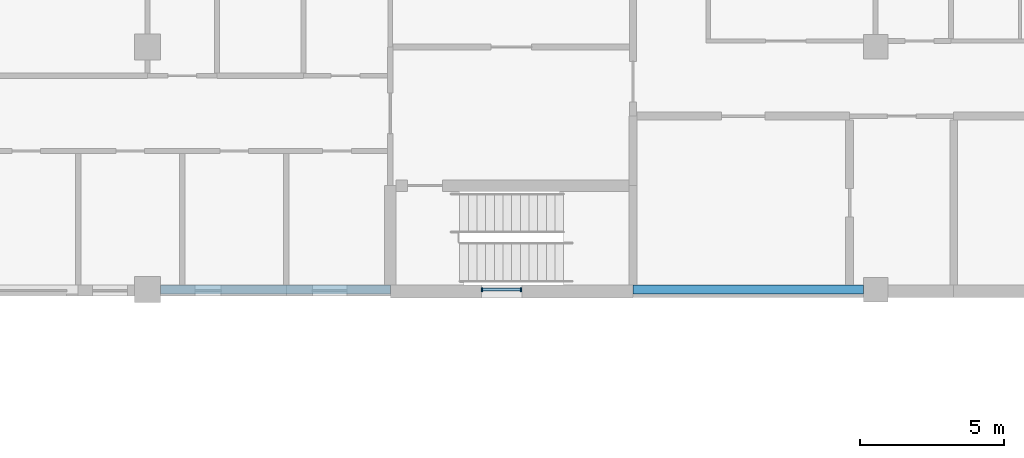
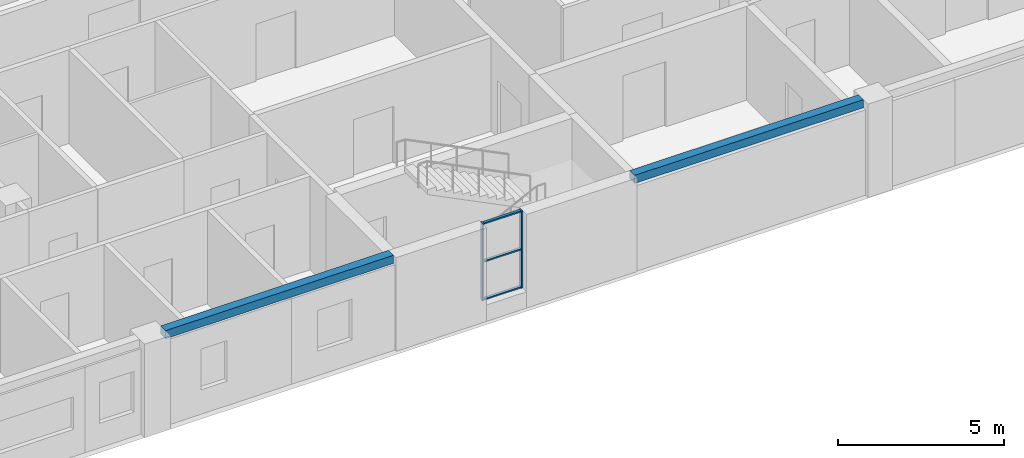
# One storey, part 35 of 94: 5 members, 2 beams, 1 element without a shape of its own.
"""IFC4 building model written with IfcOpenShell, lengths in metres."""

from ifc_helpers import new_model, si_unit, direction, frame, origin, origin_2d, place, context, subcontext, project, spatial, rectangle, extrude, material, material_profile, profile_set, type_object, element, aggregate, save


model = new_model("IFC4")

# Units and contexts
model_context = context("Model", 3, precision=1e-05, world=origin(), true_north=direction((0.0, 1.0)))
body_context = subcontext(model_context, "Body", "Model", "MODEL_VIEW")
ifc_project = project(units=[si_unit("LENGTHUNIT", "METRE"), si_unit("AREAUNIT", "SQUARE_METRE"), si_unit("VOLUMEUNIT", "CUBIC_METRE"), si_unit("PLANEANGLEUNIT", "RADIAN"), si_unit("MASSUNIT", "GRAM", prefix="KILO")], contexts=[model_context])

# Site, building, storey
site_placement = place(None, origin())
site = spatial("IfcSite", under=ifc_project, at=site_placement, CompositionType="ELEMENT")
building_placement = place(site_placement, origin())
building = spatial("IfcBuilding", under=site, at=building_placement, Name="Yavir Park General Hospital", CompositionType="ELEMENT")
storey_placement = place(building_placement, frame((0.0, 0.0, 4.5)))
storey = spatial("IfcBuildingStorey", under=building, at=storey_placement, Name="L01", CompositionType="ELEMENT", Elevation=4.5)

# Beams
ifc_material_1 = material(Name="Concrete C35/45", Category="concrete")
ifc_material_profile_1 = material_profile(ifc_material_1, rectangle(XDim=0.300048828125, YDim=0.300048828125, at=origin_2d()), Name="RC300x300")
ifc_profile_set_1 = profile_set([ifc_material_profile_1], Name="Concrete C35/45")
beam_type = type_object("IfcBeamType", Name="RC BEAM 300x300 edge beam", PredefinedType="BEAM", material=ifc_profile_set_1)
beam_1_placement = place(storey_placement, frame((126.449951171875, 0.0, 3.300048828125), z_axis=(1.0, 0.0, 0.0), x_axis=(0.0, 1.0, 0.0)))
element("IfcBeam", 1, at=beam_1_placement, inside=storey, type_object=beam_type, Name="B:EDGE:L01:013", PredefinedType="BEAM", context=body_context, shape_type="SweptSolid", body=[
    extrude(rectangle(XDim=0.300048828125, YDim=0.300048828125, at=origin_2d()), origin(), (0.0, 0.0, 1.0), 7.949951171875),
])
beam_2_placement = place(storey_placement, frame((142.800048828125, 0.0, 3.300048828125), z_axis=(1.0, 0.0, 0.0), x_axis=(0.0, 1.0, 0.0)))
element("IfcBeam", 2, at=beam_2_placement, inside=storey, type_object=beam_type, Name="B:EDGE:L01:014", PredefinedType="BEAM", context=body_context, shape_type="SweptSolid", body=[
    extrude(rectangle(XDim=0.300048828125, YDim=0.300048828125, at=origin_2d()), origin(), (0.0, 0.0, 1.0), 7.974853515625),
])

# Curtain wall, members
ifc_material_2 = material(Name="Aluminium curtain wall frame with insulated glazing", Category="aluminium")
curtain_wall_type = type_object("IfcCurtainWallType", Name="Stair light slot, podium, 2850 high, 1400 module", PredefinedType="NOTDEFINED", material=ifc_material_2)
curtain_wall_placement = place(storey_placement, origin())
curtain_wall = element("IfcCurtainWall", 3, at=curtain_wall_placement, inside=storey, type_object=curtain_wall_type, Name="CW9 L01-004", PredefinedType="NOTDEFINED")
ifc_material_3 = material(Name="Aluminium", Category="aluminium")
ifc_material_profile_2 = material_profile(ifc_material_3, rectangle(XDim=0.139892578125, YDim=0.050048828125, at=origin_2d()), Name="AL 50x140")
ifc_profile_set_2 = profile_set([ifc_material_profile_2], Name="Aluminium")
member_type_1 = type_object("IfcMemberType", Name="Stair light slot, podium, 2850 high mullion 50 x 140", PredefinedType="MULLION", material=ifc_profile_set_2)
member_1_placement = place(storey_placement, frame((137.574951171875, 0.0, 0.60009765625), z_axis=(0.0, 0.0, 1.0), x_axis=(0.0, 1.0, 0.0)))
member_1 = element("IfcMember", 4, at=member_1_placement, type_object=member_type_1, Name="CW9 mullion 1", PredefinedType="MULLION", context=body_context, shape_type="SweptSolid", body=[
    extrude(rectangle(XDim=0.139892578125, YDim=0.050048828125, at=origin_2d()), origin(), (0.0, 0.0, 1.0), 2.849853515625),
])
member_2_placement = place(storey_placement, frame((138.925048828125, 0.0, 0.60009765625), z_axis=(0.0, 0.0, 1.0), x_axis=(0.0, 1.0, 0.0)))
member_2 = element("IfcMember", 5, at=member_2_placement, type_object=member_type_1, Name="CW9 mullion 2", PredefinedType="MULLION", context=body_context, shape_type="SweptSolid", body=[
    extrude(rectangle(XDim=0.139892578125, YDim=0.050048828125, at=origin_2d()), origin(), (0.0, 0.0, 1.0), 2.849853515625),
])
ifc_material_4 = material(Name="Aluminium", Category="aluminium")
ifc_material_profile_3 = material_profile(ifc_material_4, rectangle(XDim=0.10009765625, YDim=0.050048828125, at=origin_2d()), Name="AL 100x50")
ifc_profile_set_3 = profile_set([ifc_material_profile_3], Name="Aluminium")
member_type_2 = type_object("IfcMemberType", Name="Stair light slot, podium, 2850 high transom 50 x 100", PredefinedType="MULLION", material=ifc_profile_set_3)
member_3_placement = place(storey_placement, frame((137.60009765625, 0.0, 0.625), z_axis=(1.0, 0.0, 0.0), x_axis=(0.0, 1.0, 0.0)))
member_3 = element("IfcMember", 6, at=member_3_placement, type_object=member_type_2, Name="CW9 transom 1.1", PredefinedType="MULLION", context=body_context, shape_type="SweptSolid", body=[
    extrude(rectangle(XDim=0.10009765625, YDim=0.050048828125, at=origin_2d()), origin(), (0.0, 0.0, 1.0), 1.2998046875),
])
member_4_placement = place(storey_placement, frame((137.60009765625, 0.0, 2.02490234375), z_axis=(1.0, 0.0, 0.0), x_axis=(0.0, 1.0, 0.0)))
member_4 = element("IfcMember", 7, at=member_4_placement, type_object=member_type_2, Name="CW9 transom 1.2", PredefinedType="MULLION", context=body_context, shape_type="SweptSolid", body=[
    extrude(rectangle(XDim=0.10009765625, YDim=0.050048828125, at=origin_2d()), origin(), (0.0, 0.0, 1.0), 1.2998046875),
])
member_5_placement = place(storey_placement, frame((137.60009765625, 0.0, 3.425048828125), z_axis=(1.0, 0.0, 0.0), x_axis=(0.0, 1.0, 0.0)))
member_5 = element("IfcMember", 8, at=member_5_placement, type_object=member_type_2, Name="CW9 transom 1.3", PredefinedType="MULLION", context=body_context, shape_type="SweptSolid", body=[
    extrude(rectangle(XDim=0.10009765625, YDim=0.050048828125, at=origin_2d()), origin(), (0.0, 0.0, 1.0), 1.2998046875),
])
aggregate(curtain_wall, [member_1, member_2, member_3, member_4, member_5])

save(model, "model.ifc")
